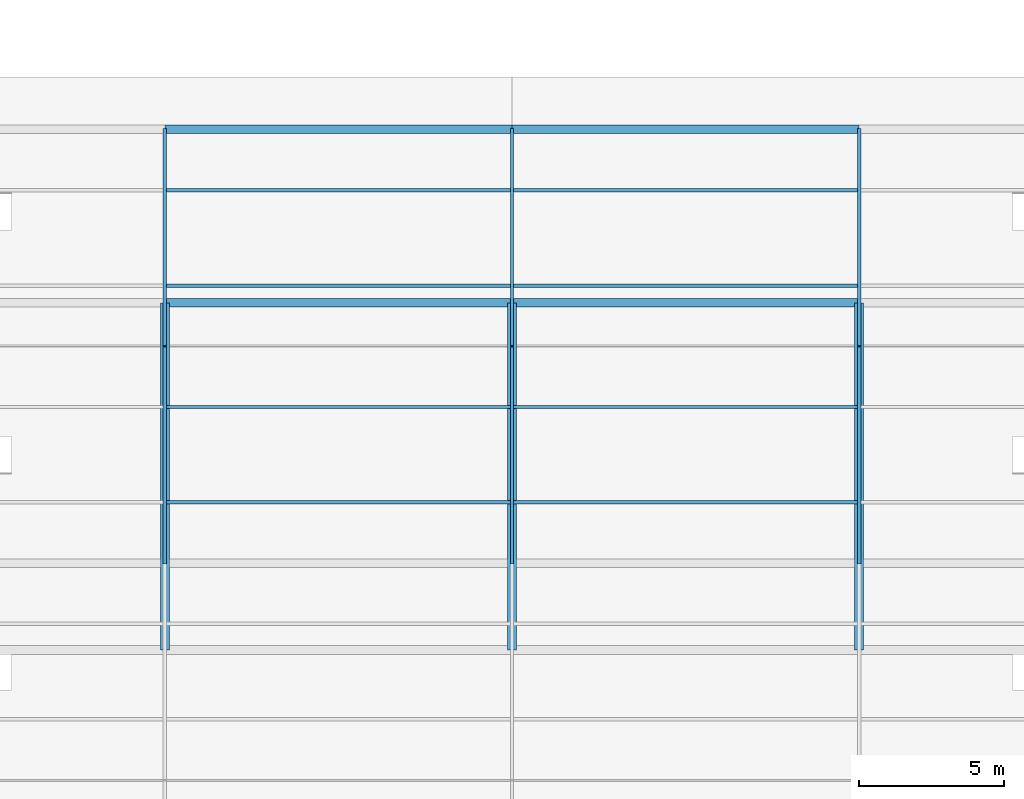
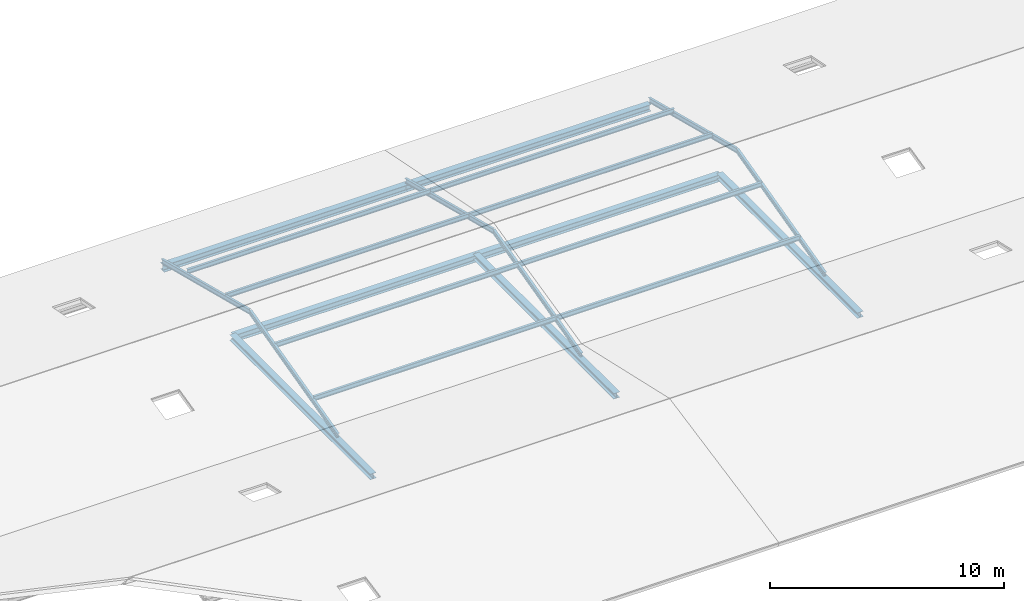
# One storey, part 51 of 117: 14 members, 7 beams.
"""IFC4 building model written with IfcOpenShell, lengths in metres."""

from ifc_helpers import new_model, si_unit, direction, frame, origin, origin_2d, place, context, subcontext, project, spatial, i_section, extrude, material, material_profile, profile_set, type_object, element, save


model = new_model("IFC4")

# Units and contexts
model_context = context("Model", 3, precision=1e-05, world=origin(), true_north=direction((0.0, 1.0)))
body_context = subcontext(model_context, "Body", "Model", "MODEL_VIEW")
ifc_project = project(units=[si_unit("LENGTHUNIT", "METRE"), si_unit("AREAUNIT", "SQUARE_METRE"), si_unit("VOLUMEUNIT", "CUBIC_METRE"), si_unit("PLANEANGLEUNIT", "RADIAN"), si_unit("MASSUNIT", "GRAM", prefix="KILO")], contexts=[model_context])

# Site, building, storey
site_placement = place(None, origin())
site = spatial("IfcSite", under=ifc_project, at=site_placement, CompositionType="ELEMENT")
building_placement = place(site_placement, origin())
building = spatial("IfcBuilding", under=site, at=building_placement, Name="Merenkruunu Market Hall", CompositionType="ELEMENT")
storey_placement = place(building_placement, frame((0.0, 0.0, 10.199951171875)))
storey = spatial("IfcBuildingStorey", under=building, at=storey_placement, Name="L02", CompositionType="ELEMENT", Elevation=10.199951171875)

# Beams
ifc_material_1 = material(Name="Steel S355J2", Category="steel")
ifc_material_profile_1 = material_profile(ifc_material_1, i_section(OverallWidth=0.300048828125, OverallDepth=0.35009765625, WebThickness=0.010009765625, FlangeThickness=0.017578125, FilletRadius=0.027099609375, at=origin_2d()), Name="HEA 360")
ifc_profile_set_1 = profile_set([ifc_material_profile_1], Name="Steel S355J2")
beam_type_1 = type_object("IfcBeamType", Name="Primary Floor Girder B08", PredefinedType="BEAM", material=ifc_profile_set_1)
for number, where, z_axis, x_axis, name in (
    (1, (100.800048828125, 39.60009765625, -0.48486328125), (1.0, 0.0, 0.0), (0.0, 1.0, 0.0), "BM-L02-B08-1194"),
    (2, (100.800048828125, 45.60009765625, -0.48486328125), (1.0, 0.0, 0.0), (0.0, 1.0, 0.0), "BM-L02-B08-1195"),
    (3, (112.800048828125, 39.60009765625, -0.48486328125), (1.0, 0.0, 0.0), (0.0, 1.0, 0.0), "BM-L02-B08-1200"),
    (4, (112.800048828125, 45.60009765625, -0.48486328125), (1.0, 0.0, 0.0), (0.0, 1.0, 0.0), "BM-L02-B08-1201"),
):
    element("IfcBeam", number, at=place(storey_placement, frame(where, z_axis=z_axis, x_axis=x_axis)), inside=storey, type_object=beam_type_1, Name=name, PredefinedType="BEAM", context=body_context, shape_type="SweptSolid", body=[
        extrude(i_section(OverallWidth=0.300048828125, OverallDepth=0.35009765625, WebThickness=0.010009765625, FlangeThickness=0.017578125, FilletRadius=0.027099609375, at=origin_2d()), origin(), (0.0, 0.0, 1.0), 12.0),
    ])
ifc_material_profile_2 = material_profile(ifc_material_1, i_section(OverallWidth=0.300048828125, OverallDepth=0.2900390625, WebThickness=0.008544921875, FlangeThickness=0.013916015625, FilletRadius=0.027099609375, at=origin_2d()), Name="HEA 300")
ifc_profile_set_2 = profile_set([ifc_material_profile_2], Name="Steel S355J2")
beam_type_2 = type_object("IfcBeamType", Name="Primary Floor Girder B09", PredefinedType="BEAM", material=ifc_profile_set_2)
for number, where, z_axis, x_axis, name in (
    (5, (100.800048828125, 27.60009765625, -0.445068359375), (0.0, 1.0, 0.0), (-1.0, 0.0, 0.0), "BM-L02-B09-1216"),
    (6, (112.800048828125, 27.60009765625, -0.445068359375), (0.0, 1.0, 0.0), (-1.0, 0.0, 0.0), "BM-L02-B09-1217"),
    (7, (124.800048828125, 27.60009765625, -0.445068359375), (0.0, 1.0, 0.0), (-1.0, 0.0, 0.0), "BM-L02-B09-1218"),
):
    element("IfcBeam", number, at=place(storey_placement, frame(where, z_axis=z_axis, x_axis=x_axis)), inside=storey, type_object=beam_type_2, Name=name, PredefinedType="BEAM", context=body_context, shape_type="SweptSolid", body=[
        extrude(i_section(OverallWidth=0.300048828125, OverallDepth=0.2900390625, WebThickness=0.008544921875, FlangeThickness=0.013916015625, FilletRadius=0.027099609375, at=origin_2d()), origin(), (0.0, 0.0, 1.0), 12.0),
    ])

# Members
ifc_material_2 = material(Name="Steel S355ML", Category="steel")
ifc_material_profile_3 = material_profile(ifc_material_2, i_section(OverallWidth=0.1201171875, OverallDepth=0.239990234375, WebThickness=0.006103515625, FlangeThickness=0.009765625, FilletRadius=0.014892578125, at=origin_2d()), Name="IPE 240")
ifc_profile_set_3 = profile_set([ifc_material_profile_3], Name="Steel S355ML")
member_type = type_object("IfcMemberType", Name="Roof Purlin Rafter PR02", PredefinedType="PURLIN", material=ifc_profile_set_3)
for number, where, z_axis, x_axis, name in (
    (8, (100.800048828125, 30.60009765625, -0.14990234375), (0.0, 0.969071803279, 0.246778929591), (-1.0, 0.0, 0.0), "MEM-V2-RAFT-011"),
    (9, (100.800048828125, 38.10009765625, 1.760009765625), (0.0, 0.969071803279, -0.246778929591), (-1.0, 0.0, 0.0), "MEM-V2-RAFT-012"),
    (10, (112.800048828125, 30.60009765625, -0.14990234375), (0.0, 0.969071803279, 0.246778929591), (-1.0, 0.0, 0.0), "MEM-V2-RAFT-015"),
    (11, (112.800048828125, 38.10009765625, 1.760009765625), (0.0, 0.969071803279, -0.246778929591), (-1.0, 0.0, 0.0), "MEM-V2-RAFT-016"),
    (12, (124.800048828125, 30.60009765625, -0.14990234375), (0.0, 0.969071803279, 0.246778929591), (-1.0, 0.0, 0.0), "MEM-V2-RAFT-019"),
    (13, (124.800048828125, 38.10009765625, 1.760009765625), (0.0, 0.969071803279, -0.246778929591), (-1.0, 0.0, 0.0), "MEM-V2-RAFT-020"),
):
    element("IfcMember", number, at=place(storey_placement, frame(where, z_axis=z_axis, x_axis=x_axis)), inside=storey, type_object=member_type, Name=name, PredefinedType="PURLIN", context=body_context, shape_type="SweptSolid", body=[
        extrude(i_section(OverallWidth=0.1201171875, OverallDepth=0.239990234375, WebThickness=0.006103515625, FlangeThickness=0.009765625, FilletRadius=0.014892578125, at=origin_2d()), origin(), (0.0, 0.0, 1.0), 7.7392578125),
    ])
for number, where, z_axis, x_axis, name in (
    (14, (100.804931640625, 32.699951171875, 0.52099609375), (1.0, 0.0, 0.0), (0.0, 1.0, 0.0), "MEM-V2-PURL-049"),
    (15, (100.804931640625, 36.0, 1.291015625), (1.0, 0.0, 0.0), (0.0, 1.0, 0.0), "MEM-V2-PURL-050"),
    (16, (100.804931640625, 40.199951171875, 1.31298828125), (1.0, 0.0, 0.0), (0.0, 1.0, 0.0), "MEM-V2-PURL-051"),
    (17, (100.804931640625, 43.5, 0.5791015625), (1.0, 0.0, 0.0), (0.0, 1.0, 0.0), "MEM-V2-PURL-052"),
    (18, (112.804931640625, 32.699951171875, 0.52099609375), (1.0, 0.0, 0.0), (0.0, 1.0, 0.0), "MEM-V2-PURL-057"),
    (19, (112.804931640625, 36.0, 1.291015625), (1.0, 0.0, 0.0), (0.0, 1.0, 0.0), "MEM-V2-PURL-058"),
    (20, (112.804931640625, 40.199951171875, 1.31298828125), (1.0, 0.0, 0.0), (0.0, 1.0, 0.0), "MEM-V2-PURL-059"),
    (21, (112.804931640625, 43.5, 0.5791015625), (1.0, 0.0, 0.0), (0.0, 1.0, 0.0), "MEM-V2-PURL-060"),
):
    element("IfcMember", number, at=place(storey_placement, frame(where, z_axis=z_axis, x_axis=x_axis)), inside=storey, type_object=member_type, Name=name, PredefinedType="PURLIN", context=body_context, shape_type="SweptSolid", body=[
        extrude(i_section(OverallWidth=0.1201171875, OverallDepth=0.239990234375, WebThickness=0.006103515625, FlangeThickness=0.009765625, FilletRadius=0.014892578125, at=origin_2d()), origin(), (0.0, 0.0, 1.0), 11.989990234375),
    ])

save(model, "model.ifc")
